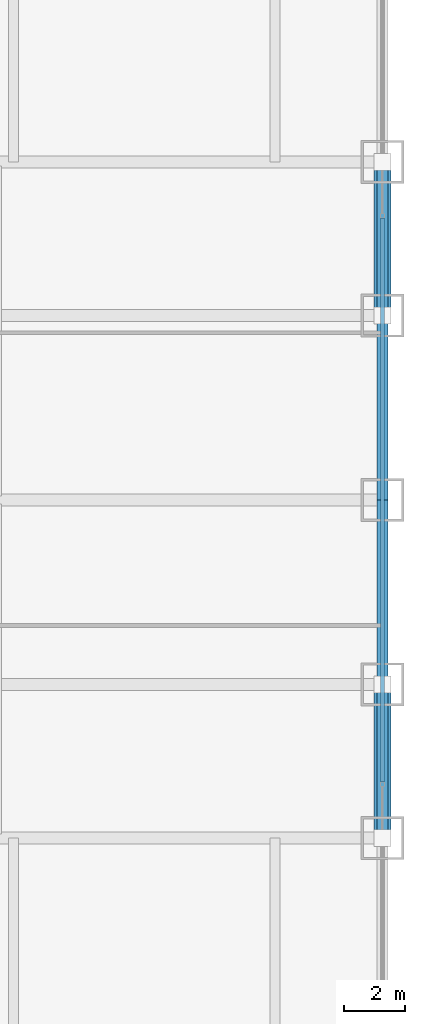
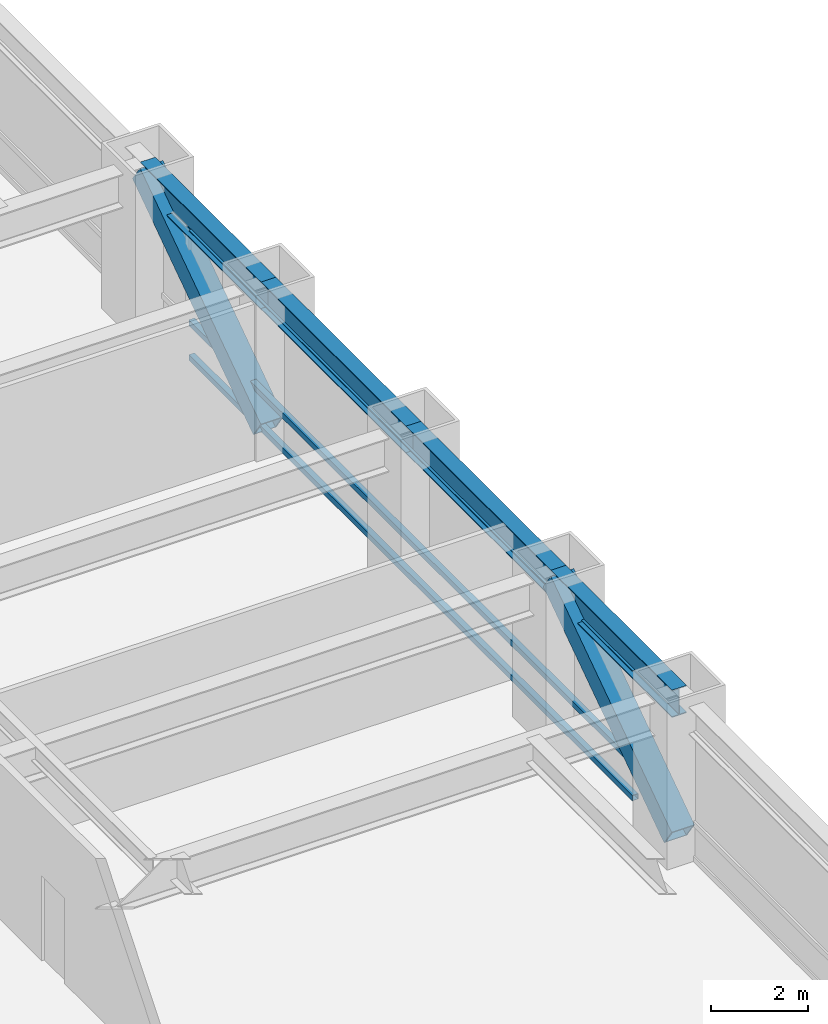
# One storey, part 17 of 31: 5 members, 4 beams, 1 element without a shape of its own.
"""IFC4 building model written with IfcOpenShell, lengths in metres."""

import ifcopenshell
import ifcopenshell.guid

model = None  # the IFC model being written
_history = None  # IfcOwnerHistory: only IFC2X3 demands one
_inside = {}  # id of a spatial element -> (the spatial element, [elements in it])
_under = {}  # id of a project, library or spatial element -> (it, [spatial elements below it])
_declared = {}  # id of a project -> (the project, [libraries it declares])
_typed = {}  # id of a type object -> (the type object, [elements of that type])
_made_of = {}  # id of a material, layer set ... -> (it, [elements and type objects made of it])


def new_model(schema):
    """Start an empty IFC model of exactly this schema.

    Asked for "IFC4X3", IfcOpenShell would pick the latest addendum, in which some entities
    have other attributes; the version numbers below select the first issue.
    IFC2X3 requires an IfcOwnerHistory on every rooted entity: one is made here for all.
    """
    global model, _history
    if schema == "IFC4X3":
        model = ifcopenshell.file(schema_version=(4, 3, 0, 0))
    else:
        model = ifcopenshell.file(schema=schema)
    _inside.clear()
    _under.clear()
    _declared.clear()
    _typed.clear()
    _made_of.clear()
    _history = None
    if model.schema == "IFC2X3":
        org = make("IfcOrganization", Name="unknown")
        user = make(
            "IfcPersonAndOrganization",
            ThePerson=make("IfcPerson", FamilyName="unknown"),
            TheOrganization=org,
        )
        app = make(
            "IfcApplication",
            ApplicationDeveloper=org,
            Version="unknown",
            ApplicationFullName="unknown",
            ApplicationIdentifier="unknown",
        )
        _history = make(
            "IfcOwnerHistory",
            OwningUser=user,
            OwningApplication=app,
            ChangeAction="ADDED",
            CreationDate=0,
        )
    return model


def make(cls, **values):
    """One entity of the class cls with the attributes given. An attribute that is None is left unset."""
    return model.create_entity(
        cls, **{name: value for name, value in values.items() if value is not None}
    )


def rooted(cls, **values):
    """An entity with a GlobalId (a new one), such as an element, a storey or a relation."""
    return make(cls, GlobalId=ifcopenshell.guid.new(), OwnerHistory=_history, **values)


def si_unit(unit_type, name, prefix=None):
    """IfcSIUnit, for example si_unit("LENGTHUNIT", "METRE", prefix="MILLI")."""
    return make("IfcSIUnit", UnitType=unit_type, Prefix=prefix, Name=name)


def assignment(units):
    """IfcUnitAssignment: the units of a project."""
    return None if units is None else make("IfcUnitAssignment", Units=units)


def point(xyz):
    """IfcCartesianPoint."""
    return None if xyz is None else make("IfcCartesianPoint", Coordinates=xyz)


def direction(xyz):
    """IfcDirection."""
    return None if xyz is None else make("IfcDirection", DirectionRatios=xyz)


def frame(location, z_axis=None, x_axis=None):
    """IfcAxis2Placement3D, a coordinate frame: its origin and axes. An axis left out is left unset."""
    return make(
        "IfcAxis2Placement3D",
        Location=point(location),
        Axis=direction(z_axis),
        RefDirection=direction(x_axis),
    )


def frame_2d(location, x_axis=None):
    """IfcAxis2Placement2D, a coordinate frame in the plane: its origin and x axis."""
    return make(
        "IfcAxis2Placement2D", Location=point(location), RefDirection=direction(x_axis)
    )


def origin():
    """The frame at (0, 0, 0) with its axes left unset."""
    return frame((0.0, 0.0, 0.0))


def origin_2d():
    """The frame at (0, 0) in the plane with its x axis left unset."""
    return frame_2d((0.0, 0.0))


def place(relative_to, where):
    """IfcLocalPlacement: puts the frame where relative to a parent placement (None: the world)."""
    return make(
        "IfcLocalPlacement", PlacementRelTo=relative_to, RelativePlacement=where
    )


def context(
    kind, dimensions, precision=None, world=None, true_north=None, identifier=None
):
    """IfcGeometricRepresentationContext, for example the 3D "Model" context."""
    return make(
        "IfcGeometricRepresentationContext",
        ContextIdentifier=identifier,
        ContextType=kind,
        CoordinateSpaceDimension=dimensions,
        Precision=precision,
        WorldCoordinateSystem=world,
        TrueNorth=true_north,
    )


def subcontext(parent, identifier, kind, view, scale=None):
    """IfcGeometricRepresentationSubContext, for example "Body" below "Model"."""
    return make(
        "IfcGeometricRepresentationSubContext",
        ContextIdentifier=identifier,
        ContextType=kind,
        ParentContext=parent,
        TargetScale=scale,
        TargetView=view,
    )


def project(units=None, contexts=None):
    """IfcProject with its units and contexts."""
    return rooted(
        "IfcProject",
        Name="project",
        RepresentationContexts=contexts,
        UnitsInContext=assignment(units),
    )


def spatial(cls, under=None, at=None, **own):
    """A site, building, storey or space (cls), placed at a placement, below another one or the project."""
    s = rooted(cls, ObjectPlacement=at, **own)
    if under is not None:
        _under.setdefault(under.id(), (under, []))[1].append(s)
    return s


def profile(cls, at=None, kind="AREA", **sizes):
    """A parametric profile (cls). Its sizes go by their IFC names, for example OverallWidth=200.0."""
    return make(cls, ProfileType=kind, Position=at, **sizes)


def hollow_rectangle(**sizes):
    """IfcRectangleHollowProfileDef."""
    return profile("IfcRectangleHollowProfileDef", **sizes)


def i_section(**sizes):
    """IfcIShapeProfileDef."""
    return profile("IfcIShapeProfileDef", **sizes)


def extrude(swept, where, along, depth):
    """IfcExtrudedAreaSolid: the profile swept, set in the frame where, extruded along a direction by depth."""
    return make(
        "IfcExtrudedAreaSolid",
        SweptArea=swept,
        Position=where,
        ExtrudedDirection=direction(along),
        Depth=depth,
    )


def shape(context_of_items, identifier, shape_type, items):
    """IfcShapeRepresentation: the items that make up one representation, for example the "Body"."""
    return make(
        "IfcShapeRepresentation",
        ContextOfItems=context_of_items,
        RepresentationIdentifier=identifier,
        RepresentationType=shape_type,
        Items=items,
    )


def source(mapping_origin, context_of_items, identifier, shape_type, items):
    """IfcRepresentationMap: a shape defined once, which mapped items show again and again."""
    return make(
        "IfcRepresentationMap",
        MappingOrigin=mapping_origin,
        MappedRepresentation=shape(context_of_items, identifier, shape_type, items),
    )


def transform(
    local_origin,
    x_axis=None,
    y_axis=None,
    z_axis=None,
    scale=None,
    scale2=None,
    scale3=None,
    uniform=True,
):
    """IfcCartesianTransformationOperator3D, or its non-uniform kind. x_axis, y_axis, z_axis: its Axis1, 2, 3."""
    if uniform:
        return make(
            "IfcCartesianTransformationOperator3D",
            Axis1=direction(x_axis),
            Axis2=direction(y_axis),
            LocalOrigin=point(local_origin),
            Scale=scale,
            Axis3=direction(z_axis),
        )
    return make(
        "IfcCartesianTransformationOperator3DnonUniform",
        Axis1=direction(x_axis),
        Axis2=direction(y_axis),
        LocalOrigin=point(local_origin),
        Scale=scale,
        Axis3=direction(z_axis),
        Scale2=scale2,
        Scale3=scale3,
    )


def mapped(mapping_source, mapping_target):
    """IfcMappedItem: shows the shape of a source again, moved by a transform."""
    return make(
        "IfcMappedItem", MappingSource=mapping_source, MappingTarget=mapping_target
    )


def material(Name=None, Category=None):
    """IfcMaterial."""
    return make("IfcMaterial", Name=Name, Category=Category)


def material_profile(
    of_material, cross_section, Name=None, Category=None, Priority=None
):
    """IfcMaterialProfile: a cross section and its material."""
    return make(
        "IfcMaterialProfile",
        Name=Name,
        Material=of_material,
        Profile=cross_section,
        Priority=Priority,
        Category=Category,
    )


def profile_set(profiles, Name=None, composite=None):
    """IfcMaterialProfileSet."""
    return make(
        "IfcMaterialProfileSet",
        Name=Name,
        MaterialProfiles=profiles,
        CompositeProfile=composite,
    )


def made_of(thing, what):
    """Note that an element or type object is made of a material, layer set ...; save() writes the relation."""
    if what is not None:
        _made_of.setdefault(what.id(), (what, []))[1].append(thing)
    return thing


def type_object(cls, material=None, **own):
    """A type object (cls), such as IfcWallType, which elements share."""
    return made_of(rooted(cls, **own), material)


def element(
    cls,
    number,
    at=None,
    inside=None,
    cuts=None,
    type_object=None,
    material=None,
    context=None,
    identifier="Body",
    shape_type=None,
    held_by="IfcProductDefinitionShape",
    body=None,
    shapes=None,
    **own,
):
    """One element of the class cls, such as IfcWall. Its Tag is "e" and its number.

    at: its placement. inside: the storey or other place that contains it. cuts: it is an
    opening in that element (IfcRelVoidsElement). A single representation is given by context,
    identifier, shape_type and body (its items); several are given by shapes. held_by: the class
    of the entity that holds the representations. save() writes the other relations.
    """
    e = rooted(cls, Tag="e%d" % number, ObjectPlacement=at, **own)
    if body is not None:
        shapes = [shape(context, identifier, shape_type, body)]
    if shapes is not None:
        e.Representation = make(held_by, Representations=shapes)
    if inside is not None:
        _inside.setdefault(inside.id(), (inside, []))[1].append(e)
    if cuts is not None:
        rooted(
            "IfcRelVoidsElement", RelatingBuildingElement=cuts, RelatedOpeningElement=e
        )
    if type_object is not None:
        _typed.setdefault(type_object.id(), (type_object, []))[1].append(e)
    return made_of(e, material)


def aggregate(whole, parts):
    """IfcRelAggregates: a whole, such as a stair, and the parts it consists of."""
    return rooted("IfcRelAggregates", RelatingObject=whole, RelatedObjects=parts)


def save(model, path):
    """Write the relations noted so far, then the file.

    IfcRelAggregates (storeys below a building ...), IfcRelContainedInSpatialStructure (elements
    in a storey), IfcRelDefinesByType, IfcRelAssociatesMaterial and IfcRelDeclares: one each for
    every whole, place, type object, material and project.
    """
    for whole, parts in _under.values():
        aggregate(whole, parts)
    for where, things in _inside.values():
        rooted(
            "IfcRelContainedInSpatialStructure",
            RelatedElements=things,
            RelatingStructure=where,
        )
    for kind, things in _typed.values():
        rooted("IfcRelDefinesByType", RelatedObjects=things, RelatingType=kind)
    for what, things in _made_of.values():
        rooted("IfcRelAssociatesMaterial", RelatedObjects=things, RelatingMaterial=what)
    for by, libraries in _declared.values():
        rooted("IfcRelDeclares", RelatingContext=by, RelatedDefinitions=libraries)
    model.write(path)


model = new_model("IFC4")

# Units and contexts
model_context = context("Model", 3, precision=1e-05, world=origin(), true_north=direction((0.0, 1.0)))
body_context = subcontext(model_context, "Body", "Model", "MODEL_VIEW")
ifc_project = project(units=[si_unit("LENGTHUNIT", "METRE"), si_unit("AREAUNIT", "SQUARE_METRE"), si_unit("VOLUMEUNIT", "CUBIC_METRE"), si_unit("PLANEANGLEUNIT", "RADIAN"), si_unit("MASSUNIT", "GRAM", prefix="KILO")], contexts=[model_context])

# Site, building, storey
site_placement = place(None, origin())
site = spatial("IfcSite", under=ifc_project, at=site_placement, CompositionType="ELEMENT")
building_placement = place(site_placement, origin())
building = spatial("IfcBuilding", under=site, at=building_placement, Name="Khorayat Bourse Tower", CompositionType="ELEMENT")
storey_placement = place(building_placement, frame((0.0, 0.0, 41.0)))
storey = spatial("IfcBuildingStorey", under=building, at=storey_placement, Name="L08", CompositionType="ELEMENT", Elevation=41.0)

# Beams
ifc_material_1 = material(Name="Steel ASTM A992 Grade 50", Category="steel")
ifc_material_profile_1 = material_profile(ifc_material_1, i_section(OverallWidth=0.35498046875, OverallDepth=0.695068359375, WebThickness=0.015380859375, FlangeThickness=0.02490234375, FilletRadius=0.01806640625, at=origin_2d()), Name="W690X217")
ifc_profile_set_1 = profile_set([ifc_material_profile_1], Name="Steel ASTM A992 Grade 50")
beam_type = type_object("IfcBeamType", Name="BM-SPAN-690", PredefinedType="SPANDREL", material=ifc_profile_set_1)
shared_shape_1 = source(origin(), body_context, "Body", "SweptSolid", [
    extrude(i_section(OverallWidth=0.35498046875, OverallDepth=0.695068359375, WebThickness=0.015380859375, FlangeThickness=0.02490234375, FilletRadius=0.01806640625, at=origin_2d()), origin(), (0.0, 0.0, 1.0), 5.0),
])
for number, where, z_axis, x_axis, name in (
    (1, (32.0, -11.0, 3.592529296875), (0.0, 1.0, 0.0), (-1.0, 0.0, 0.0), "L08 BM-SPAN-690 BM-L08-SPN-036"),
    (2, (32.0, 6.0, 3.592529296875), (0.0, 1.0, 0.0), (-1.0, 0.0, 0.0), "L08 BM-SPAN-690 BM-L08-SPN-039"),
):
    element("IfcBeam", number, at=place(storey_placement, frame(where, z_axis=z_axis, x_axis=x_axis)), inside=storey, type_object=beam_type, Name=name, PredefinedType="SPANDREL", context=body_context, shape_type="MappedRepresentation", body=[
        mapped(shared_shape_1, transform((0.0, 0.0, 0.0), scale=1.0)),
    ])
shared_shape_2 = source(origin(), body_context, "Body", "SweptSolid", [
    extrude(i_section(OverallWidth=0.35498046875, OverallDepth=0.695068359375, WebThickness=0.015380859375, FlangeThickness=0.02490234375, FilletRadius=0.01806640625, at=origin_2d()), origin(), (0.0, 0.0, 1.0), 6.0),
])
for number, where, z_axis, x_axis, name in (
    (3, (32.0, -6.0, 3.592529296875), (0.0, 1.0, 0.0), (-1.0, 0.0, 0.0), "L08 BM-SPAN-690 BM-L08-SPN-037"),
    (4, (32.0, 0.0, 3.592529296875), (0.0, 1.0, 0.0), (-1.0, 0.0, 0.0), "L08 BM-SPAN-690 BM-L08-SPN-038"),
):
    element("IfcBeam", number, at=place(storey_placement, frame(where, z_axis=z_axis, x_axis=x_axis)), inside=storey, type_object=beam_type, Name=name, PredefinedType="SPANDREL", context=body_context, shape_type="MappedRepresentation", body=[
        mapped(shared_shape_2, transform((0.0, 0.0, 0.0), scale=1.0)),
    ])

# Members
ifc_material_2 = material(Name="Steel EN 10025-4 S460M", Category="steel")
ifc_material_profile_2 = material_profile(ifc_material_2, hollow_rectangle(XDim=0.550048828125, YDim=0.550048828125, WallThickness=0.031982421875, at=origin_2d()), Name="HSS 550x550x32")
ifc_profile_set_2 = profile_set([ifc_material_profile_2], Name="Steel EN 10025-4 S460M")
member_type_1 = type_object("IfcMemberType", Name="MBR-TUBE-550", PredefinedType="BRACE", material=ifc_profile_set_2)
shared_shape_3 = source(origin(), body_context, "Body", "SweptSolid", [
    extrude(hollow_rectangle(XDim=0.550048828125, YDim=0.550048828125, WallThickness=0.031982421875, at=origin_2d()), origin(), (0.0, 0.0, 1.0), 6.069091796875),
])
for number, where, z_axis, x_axis, name in (
    (5, (32.0, -11.0, 0.25), (0.0, 0.823854080622, 0.566801952928), (-1.0, 0.0, 0.0), "L08 Perimeter Tube Brace 07"),
    (6, (32.0, 6.0, 0.25), (0.0, 0.823854080622, 0.566801952928), (-1.0, 0.0, 0.0), "L08 Perimeter Tube Brace 08"),
):
    element("IfcMember", number, at=place(storey_placement, frame(where, z_axis=z_axis, x_axis=x_axis)), inside=storey, type_object=member_type_1, Name=name, PredefinedType="BRACE", context=body_context, shape_type="MappedRepresentation", body=[
        mapped(shared_shape_3, transform((0.0, 0.0, 0.0), scale=1.0)),
    ])

# Curtain wall, members
ifc_material_3 = material(Name="Aluminium EN AW-6063 T6", Category="aluminium")
curtain_wall_type = type_object("IfcCurtainWallType", Name="CW-SYS-02", PredefinedType="NOTDEFINED", material=ifc_material_3)
curtain_wall_placement = place(storey_placement, origin())
curtain_wall = element("IfcCurtainWall", 7, at=curtain_wall_placement, inside=storey, type_object=curtain_wall_type, Name="L08 Curtain Wall CW-L08-E1", PredefinedType="NOTDEFINED")
ifc_material_profile_3 = material_profile(ifc_material_3, hollow_rectangle(XDim=0.139892578125, YDim=0.139892578125, WallThickness=0.006103515625, at=origin_2d()), Name="ALU 140x140x6")
ifc_profile_set_3 = profile_set([ifc_material_profile_3], Name="Aluminium EN AW-6063 T6")
member_type_2 = type_object("IfcMemberType", Name="CWT-HORZ-140", PredefinedType="USERDEFINED", material=ifc_profile_set_3)
shared_shape_4 = source(origin(), body_context, "Body", "SweptSolid", [
    extrude(hollow_rectangle(XDim=0.139892578125, YDim=0.139892578125, WallThickness=0.006103515625, at=origin_2d()), origin(), (0.0, 0.0, 1.0), 18.35986328125),
])
member_1_placement = place(storey_placement, frame((32.0, -9.179931640625, 0.070068359375), z_axis=(0.0, 1.0, 0.0), x_axis=(-1.0, 0.0, 0.0)))
member_1 = element("IfcMember", 8, at=member_1_placement, type_object=member_type_2, Name="CW-L08-E1 Horizontal Transom 2-1", ObjectType="TRANSOM", PredefinedType="USERDEFINED", context=body_context, shape_type="MappedRepresentation", body=[
    mapped(shared_shape_4, transform((0.0, 0.0, 0.0), scale=1.0)),
])
member_2_placement = place(storey_placement, frame((32.0, -9.179931640625, 0.949951171875), z_axis=(0.0, 1.0, 0.0), x_axis=(-1.0, 0.0, 0.0)))
member_2 = element("IfcMember", 9, at=member_2_placement, type_object=member_type_2, Name="CW-L08-E1 Horizontal Transom 2-2", ObjectType="TRANSOM", PredefinedType="USERDEFINED", context=body_context, shape_type="MappedRepresentation", body=[
    mapped(shared_shape_4, transform((0.0, 0.0, 0.0), scale=1.0)),
])
member_3_placement = place(storey_placement, frame((32.0, -9.179931640625, 3.219970703125), z_axis=(0.0, 1.0, 0.0), x_axis=(-1.0, 0.0, 0.0)))
member_3 = element("IfcMember", 10, at=member_3_placement, type_object=member_type_2, Name="CW-L08-E1 Horizontal Transom 2-3", ObjectType="TRANSOM", PredefinedType="USERDEFINED", context=body_context, shape_type="MappedRepresentation", body=[
    mapped(shared_shape_4, transform((0.0, 0.0, 0.0), scale=1.0)),
])
aggregate(curtain_wall, [member_1, member_2, member_3])

save(model, "model.ifc")
